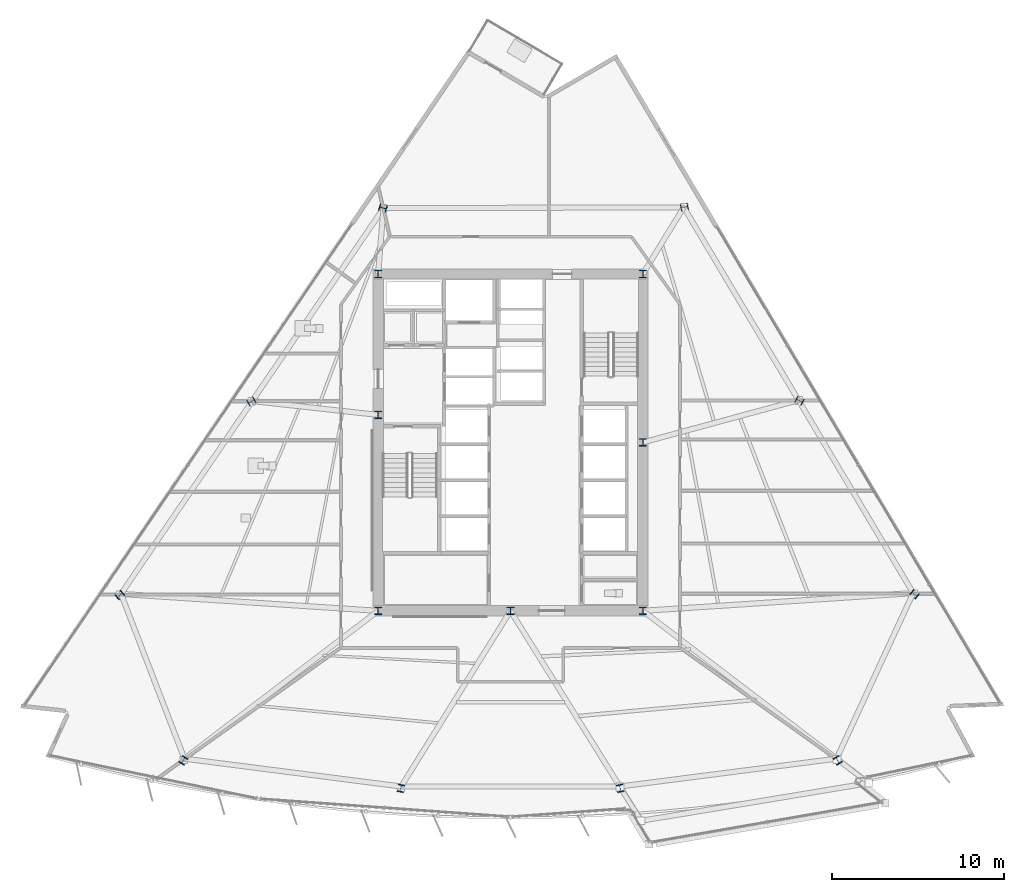
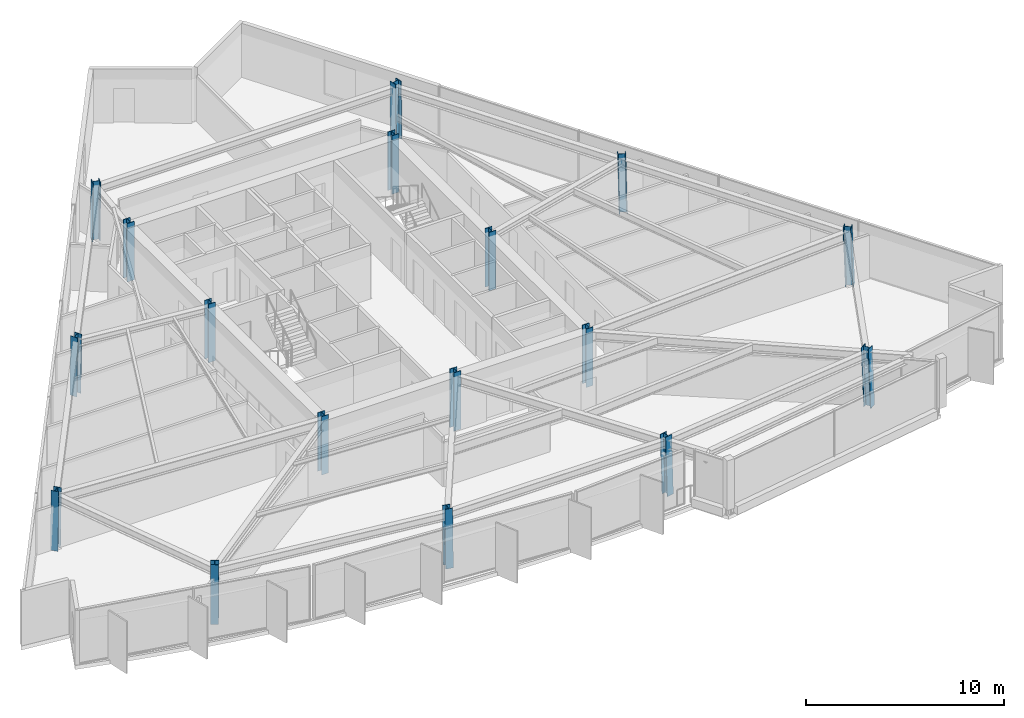
# One storey, part 1 of 15: 17 columns.
"""IFC4 building model written with IfcOpenShell, lengths in metres."""

from ifc_helpers import new_model, si_unit, direction, frame, origin, origin_2d, place, context, subcontext, project, spatial, i_section, extrude, material, material_profile, profile_set, type_object, element, save


model = new_model("IFC4")

# Units and contexts
model_context = context("Model", 3, precision=1e-05, world=origin(), true_north=direction((0.0, 1.0)))
body_context = subcontext(model_context, "Body", "Model", "MODEL_VIEW")
ifc_project = project(units=[si_unit("LENGTHUNIT", "METRE"), si_unit("AREAUNIT", "SQUARE_METRE"), si_unit("VOLUMEUNIT", "CUBIC_METRE"), si_unit("PLANEANGLEUNIT", "RADIAN"), si_unit("MASSUNIT", "GRAM", prefix="KILO")], contexts=[model_context])

# Site, building, storey
site_placement = place(None, origin())
site = spatial("IfcSite", under=ifc_project, at=site_placement, CompositionType="ELEMENT")
building_placement = place(site_placement, origin())
building = spatial("IfcBuilding", under=site, at=building_placement, Name="Savorim Split Tower", CompositionType="ELEMENT")
storey_placement = place(building_placement, frame((0.0, 0.0, 93.300048828125)))
storey = spatial("IfcBuildingStorey", under=building, at=storey_placement, Name="L24", CompositionType="ELEMENT", Elevation=93.300048828125)

# Columns
ifc_material = material(Name="Steel S460", Category="steel")
ifc_material_profile = material_profile(ifc_material, i_section(OverallWidth=0.408935546875, OverallDepth=0.425048828125, WebThickness=0.020751953125, FlangeThickness=0.033935546875, FilletRadius=0.014892578125, at=origin_2d()), Name="HD 400x421")
ifc_profile_set = profile_set([ifc_material_profile], Name="Steel S460")
column_type = type_object("IfcColumnType", Name="COL-HD-421", PredefinedType="COLUMN", material=ifc_profile_set)
for number, where, z_axis, x_axis, name in (
    (1, (-7.699951171875, -9.39990234375, 0.0), (0.0, 0.0, 1.0), (1.0, 0.0, 0.0), "L24 Core Structural Column TC-C1"),
    (2, (7.699951171875, -9.39990234375, 0.0), (0.0, 0.0, 1.0), (1.0, 0.0, 0.0), "L24 Core Structural Column TC-C2"),
    (3, (7.699951171875, 10.199951171875, 0.0), (0.0, 0.0, 1.0), (1.0, 0.0, 0.0), "L24 Core Structural Column TC-C3"),
    (4, (-7.699951171875, 10.199951171875, 0.0), (0.0, 0.0, 1.0), (1.0, 0.0, 0.0), "L24 Core Structural Column TC-C4"),
    (5, (0.0, -9.39990234375, 0.0), (0.0, 0.0, 1.0), (1.0, 0.0, 0.0), "L24 Core Structural Column TC-C5"),
    (6, (7.699951171875, 0.39990234375, 0.0), (0.0, 0.0, 1.0), (1.0, 0.0, 0.0), "L24 Core Structural Column TC-C6"),
    (7, (-7.699951171875, 2.0, 0.0), (0.0, 0.0, 1.0), (1.0, 0.0, 0.0), "L24 Core Structural Column TC-C7"),
):
    element("IfcColumn", number, at=place(storey_placement, frame(where, z_axis=z_axis, x_axis=x_axis)), inside=storey, type_object=column_type, Name=name, PredefinedType="COLUMN", context=body_context, shape_type="SweptSolid", body=[
        extrude(i_section(OverallWidth=0.408935546875, OverallDepth=0.425048828125, WebThickness=0.020751953125, FlangeThickness=0.033935546875, FilletRadius=0.014892578125, at=origin_2d()), origin(), (0.0, 0.0, 1.0), 3.599853515625),
    ])
column_1_placement = place(storey_placement, frame((-19.04736328125, -18.119384765625, 0.00537109375), z_axis=(0.020594847032, 0.03357707734, 0.999223914922), x_axis=(-0.852427604955, 0.522845271865, 0.0)))
element("IfcColumn", 8, at=column_1_placement, inside=storey, type_object=column_type, Name="L24 Tapered Perimeter Column PC-S1", PredefinedType="COLUMN", context=body_context, shape_type="SweptSolid", body=[
    extrude(i_section(OverallWidth=0.408935546875, OverallDepth=0.425048828125, WebThickness=0.020751953125, FlangeThickness=0.033935546875, FilletRadius=0.014892578125, at=origin_2d()), origin(), (0.0, 0.0, 1.0), 3.591796875),
])
for number, where, z_axis, x_axis, name in (
    (9, (-6.3837890625, -19.7451171875, 0.00537109375), (0.00693381708, 0.03528089279, 0.999353381334), (-0.981229659911, 0.192842823335, 0.0), "L24 Tapered Perimeter Column PC-S2"),
    (10, (6.3837890625, -19.7451171875, 0.00537109375), (-0.00693381708, 0.03528089279, 0.999353381334), (-0.981229659911, -0.192842823335, 0.0), "L24 Tapered Perimeter Column PC-S3"),
):
    element("IfcColumn", number, at=place(storey_placement, frame(where, z_axis=z_axis, x_axis=x_axis)), inside=storey, type_object=column_type, Name=name, PredefinedType="COLUMN", context=body_context, shape_type="SweptSolid", body=[
        extrude(i_section(OverallWidth=0.408935546875, OverallDepth=0.425048828125, WebThickness=0.020751953125, FlangeThickness=0.033935546875, FilletRadius=0.014892578125, at=origin_2d()), origin(), (0.0, 0.0, 1.0), 3.591552734375),
    ])
column_2_placement = place(storey_placement, frame((19.04736328125, -18.119384765625, 0.00537109375), z_axis=(-0.020594847032, 0.03357707734, 0.999223914922), x_axis=(-0.852427604955, -0.522845271865, 0.0)))
element("IfcColumn", 11, at=column_2_placement, inside=storey, type_object=column_type, Name="L24 Tapered Perimeter Column PC-S4", PredefinedType="COLUMN", context=body_context, shape_type="SweptSolid", body=[
    extrude(i_section(OverallWidth=0.408935546875, OverallDepth=0.425048828125, WebThickness=0.020751953125, FlangeThickness=0.033935546875, FilletRadius=0.014892578125, at=origin_2d()), origin(), (0.0, 0.0, 1.0), 3.591796875),
])
column_3_placement = place(storey_placement, frame((23.521484375, -8.444091796875, 0.00537109375), z_axis=(-0.026105663043, 0.021618752208, 0.999425396871), x_axis=(-0.637813971185, -0.770190455771, 0.0)))
element("IfcColumn", 12, at=column_3_placement, inside=storey, type_object=column_type, Name="L24 Tapered Perimeter Column PC-E1", PredefinedType="COLUMN", context=body_context, shape_type="SweptSolid", body=[
    extrude(i_section(OverallWidth=0.408935546875, OverallDepth=0.425048828125, WebThickness=0.020751953125, FlangeThickness=0.033935546875, FilletRadius=0.014892578125, at=origin_2d()), origin(), (0.0, 0.0, 1.0), 3.591064453125),
])
column_4_placement = place(storey_placement, frame((16.8232421875, 2.82080078125, 0.00537109375), z_axis=(-0.018974023902, 0.009521015578, 0.999774642947), x_axis=(-0.44849454954, -0.893785566583, 0.0)))
element("IfcColumn", 13, at=column_4_placement, inside=storey, type_object=column_type, Name="L24 Tapered Perimeter Column PC-E2", PredefinedType="COLUMN", context=body_context, shape_type="SweptSolid", body=[
    extrude(i_section(OverallWidth=0.408935546875, OverallDepth=0.425048828125, WebThickness=0.020751953125, FlangeThickness=0.033935546875, FilletRadius=0.014892578125, at=origin_2d()), origin(), (0.0, 0.0, 1.0), 3.58984375),
])
for number, where, z_axis, x_axis, name in (
    (14, (10.125, 14.085693359375, 0.00537109375), (-0.011767052893, -0.002584670578, 0.999927425339), (0.214538664031, -0.976715496773, 0.0), "L24 Tapered Perimeter Column PC-E3"),
    (15, (-7.421875, 14.036865234375, 0.00537109375), (0.008774546149, -0.002584750028, 0.999958162328), (0.282568886397, 0.959247009086, 0.0), "L24 Tapered Perimeter Column PC-W1"),
):
    element("IfcColumn", number, at=place(storey_placement, frame(where, z_axis=z_axis, x_axis=x_axis)), inside=storey, type_object=column_type, Name=name, PredefinedType="COLUMN", context=body_context, shape_type="SweptSolid", body=[
        extrude(i_section(OverallWidth=0.408935546875, OverallDepth=0.425048828125, WebThickness=0.020751953125, FlangeThickness=0.033935546875, FilletRadius=0.014892578125, at=origin_2d()), origin(), (0.0, 0.0, 1.0), 3.58935546875),
    ])
column_5_placement = place(storey_placement, frame((-15.085205078125, 2.77197265625, 0.00537109375), z_axis=(0.01700241672, 0.009521353363, 0.999810112799), x_axis=(-0.488603368932, 0.87250601595, 0.0)))
element("IfcColumn", 16, at=column_5_placement, inside=storey, type_object=column_type, Name="L24 Tapered Perimeter Column PC-W2", PredefinedType="COLUMN", context=body_context, shape_type="SweptSolid", body=[
    extrude(i_section(OverallWidth=0.408935546875, OverallDepth=0.425048828125, WebThickness=0.020751953125, FlangeThickness=0.033935546875, FilletRadius=0.014892578125, at=origin_2d()), origin(), (0.0, 0.0, 1.0), 3.58984375),
])
column_6_placement = place(storey_placement, frame((-22.74853515625, -8.492919921875, 0.00537109375), z_axis=(0.025222449659, 0.021619242565, 0.999448065876), x_axis=(-0.650791373456, 0.759256602365, 0.0)))
element("IfcColumn", 17, at=column_6_placement, inside=storey, type_object=column_type, Name="L24 Tapered Perimeter Column PC-W3", PredefinedType="COLUMN", context=body_context, shape_type="SweptSolid", body=[
    extrude(i_section(OverallWidth=0.408935546875, OverallDepth=0.425048828125, WebThickness=0.020751953125, FlangeThickness=0.033935546875, FilletRadius=0.014892578125, at=origin_2d()), origin(), (0.0, 0.0, 1.0), 3.591064453125),
])

save(model, "model.ifc")
